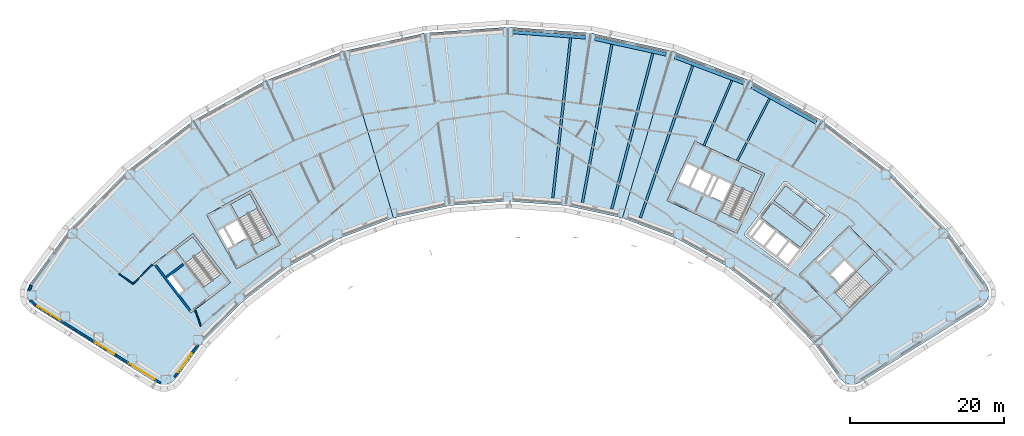
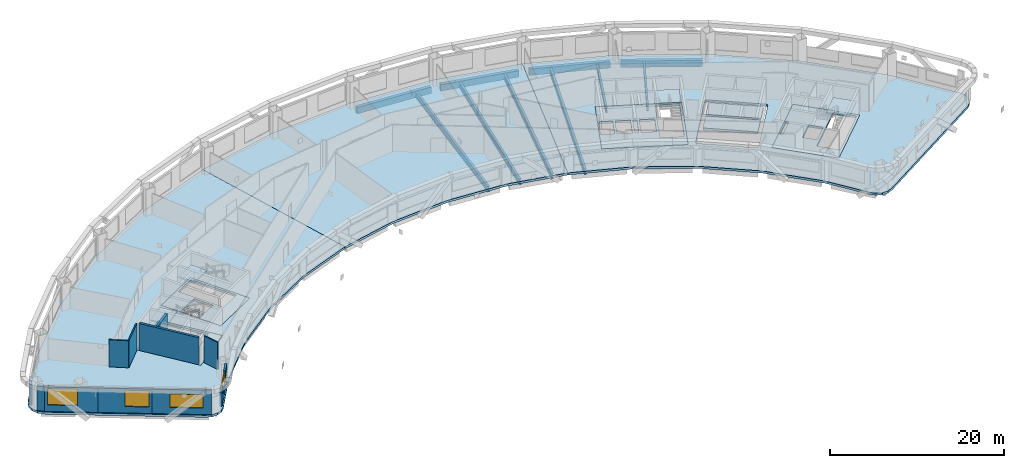
# One storey, part 2 of 19: 13 slabs, 11 walls, 10 beams, 4 windows, 4 openings, 4 elements without a shape of their own.
"""IFC4 building model written with IfcOpenShell, lengths in metres."""

from ifc_helpers import new_model, si_unit, direction, frame, frame_2d, origin, origin_2d, place, context, subcontext, project, spatial, polyline, rectangle, hollow_rectangle, i_section, outline, extrude, material, layer, layer_set, material_profile, profile_set, type_object, element, fill, aggregate, save


model = new_model("IFC4")

# Units and contexts
model_context = context("Model", 3, precision=1e-05, world=origin(), true_north=direction((0.0, 1.0)))
body_context = subcontext(model_context, "Body", "Model", "MODEL_VIEW")
ifc_project = project(units=[si_unit("LENGTHUNIT", "METRE"), si_unit("AREAUNIT", "SQUARE_METRE"), si_unit("VOLUMEUNIT", "CUBIC_METRE"), si_unit("PLANEANGLEUNIT", "RADIAN"), si_unit("MASSUNIT", "GRAM", prefix="KILO")], contexts=[model_context])

# Site, building, storey
site_placement = place(None, origin())
site = spatial("IfcSite", under=ifc_project, at=site_placement, CompositionType="ELEMENT")
building_placement = place(site_placement, origin())
building = spatial("IfcBuilding", under=site, at=building_placement, Name="Tuul Gate Civic Tower", CompositionType="ELEMENT")
storey_placement = place(building_placement, frame((0.0, 0.0, 90.60009765625)))
storey = spatial("IfcBuildingStorey", under=building, at=storey_placement, Name="Level 20", CompositionType="ELEMENT", Elevation=90.60009765625)

# Beams
ifc_material_1 = material(Name="Steel S355", Category="steel")
ifc_material_profile_1 = material_profile(ifc_material_1, i_section(OverallWidth=0.25, OverallDepth=0.64990234375, WebThickness=0.011962890625, FlangeThickness=0.02001953125, at=origin_2d()), Name="PG650x250x12x20")
ifc_profile_set_1 = profile_set([ifc_material_profile_1], Name="Steel S355")
beam_type_1 = type_object("IfcBeamType", Name="STR-FLOOR BEAM-PG650x250x12x20", PredefinedType="BEAM", material=ifc_profile_set_1)
beam_1_placement = place(storey_placement, frame((34.490478515625, 1.98095703125, -0.625), z_axis=(0.460790383982, 0.887508998281, 0.0), x_axis=(-0.887508998281, 0.460790383982, 0.0)))
element("IfcBeam", 1, at=beam_1_placement, inside=storey, type_object=beam_type_1, Name="Floor beam", PredefinedType="BEAM", context=body_context, shape_type="SweptSolid", body=[
    extrude(i_section(OverallWidth=0.25, OverallDepth=0.64990234375, WebThickness=0.011962890625, FlangeThickness=0.02001953125, at=origin_2d()), origin(), (0.0, 0.0, 1.0), 9.064453125),
])
beam_2_placement = place(storey_placement, frame((30.191162109375, 3.98583984375, -0.625), z_axis=(0.394199935174, 0.919024706474, 0.0), x_axis=(-0.919024706474, 0.394199935174, 0.0)))
element("IfcBeam", 2, at=beam_2_placement, inside=storey, type_object=beam_type_1, Name="Floor beam", PredefinedType="BEAM", context=body_context, shape_type="SweptSolid", body=[
    extrude(i_section(OverallWidth=0.25, OverallDepth=0.64990234375, WebThickness=0.011962890625, FlangeThickness=0.02001953125, at=origin_2d()), origin(), (0.0, 0.0, 1.0), 9.1337890625),
])
ifc_material_2 = material(Name="Steel S355", Category="steel")
ifc_material_profile_2 = material_profile(ifc_material_2, i_section(OverallWidth=0.300048828125, OverallDepth=0.800048828125, WebThickness=0.013916015625, FlangeThickness=0.02490234375, at=origin_2d()), Name="PG800x300x14x25")
ifc_profile_set_2 = profile_set([ifc_material_profile_2], Name="Steel S355")
beam_type_2 = type_object("IfcBeamType", Name="STR-FLOOR BEAM-PG800x300x14x25", PredefinedType="BEAM", material=ifc_profile_set_2)
beam_3_placement = place(storey_placement, frame((21.954345703125, -5.380859375, -0.7001953125), z_axis=(0.325483706592, 0.945547649113, 0.0), x_axis=(-0.945547649113, 0.325483706592, 0.0)))
element("IfcBeam", 3, at=beam_3_placement, inside=storey, type_object=beam_type_2, Name="Floor beam", PredefinedType="BEAM", context=body_context, shape_type="SweptSolid", body=[
    extrude(i_section(OverallWidth=0.300048828125, OverallDepth=0.800048828125, WebThickness=0.013916015625, FlangeThickness=0.02490234375, at=origin_2d()), origin(), (0.0, 0.0, 1.0), 20.808837890625),
])
beam_4_placement = place(storey_placement, frame((18.246826171875, -4.234130859375, -0.7001953125), z_axis=(0.255002430405, 0.966940412067, 0.0), x_axis=(-0.966940412067, 0.255002430405, 0.0)))
element("IfcBeam", 4, at=beam_4_placement, inside=storey, type_object=beam_type_2, Name="Floor beam", PredefinedType="BEAM", context=body_context, shape_type="SweptSolid", body=[
    extrude(i_section(OverallWidth=0.300048828125, OverallDepth=0.800048828125, WebThickness=0.013916015625, FlangeThickness=0.02490234375, at=origin_2d()), origin(), (0.0, 0.0, 1.0), 20.81689453125),
])
beam_5_placement = place(storey_placement, frame((14.45654296875, -3.3994140625, -0.7001953125), z_axis=(0.1831360046, 0.983087587054, 0.0), x_axis=(-0.983087587054, 0.1831360046, 0.0)))
element("IfcBeam", 5, at=beam_5_placement, inside=storey, type_object=beam_type_2, Name="Floor beam", PredefinedType="BEAM", context=body_context, shape_type="SweptSolid", body=[
    extrude(i_section(OverallWidth=0.300048828125, OverallDepth=0.800048828125, WebThickness=0.013916015625, FlangeThickness=0.02490234375, at=origin_2d()), origin(), (0.0, 0.0, 1.0), 20.811279296875),
])
beam_6_placement = place(storey_placement, frame((10.619384765625, -2.819580078125, -0.7001953125), z_axis=(0.1102757583, 0.993901029847, 0.0), x_axis=(-0.993901029847, 0.1102757583, 0.0)))
element("IfcBeam", 6, at=beam_6_placement, inside=storey, type_object=beam_type_2, Name="Floor beam", PredefinedType="BEAM", context=body_context, shape_type="SweptSolid", body=[
    extrude(i_section(OverallWidth=0.300048828125, OverallDepth=0.800048828125, WebThickness=0.013916015625, FlangeThickness=0.02490234375, at=origin_2d()), origin(), (0.0, 0.0, 1.0), 20.815185546875),
])
ifc_material_3 = material(Name="Steel S355", Category="steel")
ifc_material_profile_3 = material_profile(ifc_material_3, hollow_rectangle(XDim=0.449951171875, YDim=0.89990234375, WallThickness=0.02490234375, at=origin_2d()), Name="BOX900x450x25")
ifc_profile_set_3 = profile_set([ifc_material_profile_3], Name="Steel S355")
beam_type_3 = type_object("IfcBeamType", Name="STR-SPANDREL BEAM-BOX900x450x25", PredefinedType="BEAM", material=ifc_profile_set_3)
beam_7_placement = place(storey_placement, frame((44.686279296875, 6.974853515625, -0.75), z_axis=(-0.874608888761, 0.484829136604, 0.0), x_axis=(-0.484829136604, -0.874608888761, 0.0)))
element("IfcBeam", 7, at=beam_7_placement, inside=storey, type_object=beam_type_3, Name="Spandrel beam", PredefinedType="BEAM", context=body_context, shape_type="SweptSolid", body=[
    extrude(hollow_rectangle(XDim=0.449951171875, YDim=0.89990234375, WallThickness=0.02490234375, at=origin_2d()), origin(), (0.0, 0.0, 1.0), 9.47802734375),
])
beam_8_placement = place(storey_placement, frame((35.310791015625, 12.0732421875, -0.75), z_axis=(-0.935376104649, 0.353654552993, 0.0), x_axis=(-0.353654552993, -0.935376104649, 0.0)))
element("IfcBeam", 8, at=beam_8_placement, inside=storey, type_object=beam_type_3, Name="Spandrel beam", PredefinedType="BEAM", context=body_context, shape_type="SweptSolid", body=[
    extrude(hollow_rectangle(XDim=0.449951171875, YDim=0.89990234375, WallThickness=0.02490234375, at=origin_2d()), origin(), (0.0, 0.0, 1.0), 9.47705078125),
])
beam_9_placement = place(storey_placement, frame((25.299072265625, 15.76611328125, -0.75), z_axis=(-0.97656320303, 0.215230830708, 0.0), x_axis=(-0.215230830708, -0.97656320303, 0.0)))
element("IfcBeam", 9, at=beam_9_placement, inside=storey, type_object=beam_type_3, Name="Spandrel beam", PredefinedType="BEAM", context=body_context, shape_type="SweptSolid", body=[
    extrude(hollow_rectangle(XDim=0.449951171875, YDim=0.89990234375, WallThickness=0.02490234375, at=origin_2d()), origin(), (0.0, 0.0, 1.0), 9.477294921875),
])
beam_10_placement = place(storey_placement, frame((14.859619140625, 17.978271484375, -0.75), z_axis=(-0.997382561925, 0.07230508397, 0.0), x_axis=(-0.07230508397, -0.997382561925, 0.0)))
element("IfcBeam", 10, at=beam_10_placement, inside=storey, type_object=beam_type_3, Name="Spandrel beam", PredefinedType="BEAM", context=body_context, shape_type="SweptSolid", body=[
    extrude(hollow_rectangle(XDim=0.449951171875, YDim=0.89990234375, WallThickness=0.02490234375, at=origin_2d()), origin(), (0.0, 0.0, 1.0), 9.47802734375),
])

# Slabs
ifc_material_4 = material(Name="Concrete C40/50", Category="concrete")
ifc_layer_1 = layer(ifc_material_4, 0.300048828125)
ifc_layer_set_1 = layer_set([ifc_layer_1], Name="Concrete C40/50")
slab_type_1 = type_object("IfcSlabType", Name="Core floor slab 300", PredefinedType="FLOOR", material=ifc_layer_set_1)
slab_1_placement = place(storey_placement, frame((0.0, 0.0, -0.300048828125)))
element("IfcSlab", 11, at=slab_1_placement, inside=storey, type_object=slab_type_1, Name="FLOOR SLAB", PredefinedType="FLOOR", context=body_context, shape_type="SweptSolid", body=[
    extrude(outline(polyline([(-31.10009765625, -13.7890625), (-35.946044921875, -7.423828125), (-41.11767578125, -11.361572265625), (-36.271484375, -17.726806640625), (-31.10009765625, -13.7890625)]), holes=[polyline([(-37.19287109375, -14.783203125), (-38.737548828125, -12.75439453125), (-39.45361328125, -13.299560546875), (-37.908935546875, -15.328369140625), (-37.19287109375, -14.783203125)]), polyline([(-32.33935546875, -12.65771484375), (-34.56591796875, -14.352783203125), (-38.229736328125, -9.54052734375), (-36.003173828125, -7.845458984375), (-32.33935546875, -12.65771484375)])]), origin(), (0.0, 0.0, 1.0), 0.300048828125),
])
slab_2_placement = place(storey_placement, frame((0.0, 0.0, -0.300048828125)))
element("IfcSlab", 12, at=slab_2_placement, inside=storey, type_object=slab_type_1, Name="FLOOR SLAB", PredefinedType="FLOOR", context=body_context, shape_type="SweptSolid", body=[
    extrude(outline(polyline([(-24.638916015625, -8.846923828125), (-28.51708984375, -1.849853515625), (-34.2021484375, -5.0009765625), (-30.32421875, -11.998046875), (-24.638916015625, -8.846923828125)]), holes=[polyline([(-29.0185546875, -7.958740234375), (-30.254638671875, -5.728515625), (-31.785400390625, -6.576904296875), (-30.54931640625, -8.80712890625), (-29.0185546875, -7.958740234375)]), polyline([(-30.8115234375, -8.95263671875), (-32.047607421875, -6.72216796875), (-32.8349609375, -7.158447265625), (-31.5986328125, -9.388916015625), (-30.8115234375, -8.95263671875)]), polyline([(-25.702392578125, -7.548828125), (-28.14990234375, -8.905517578125), (-31.08203125, -3.615234375), (-28.63427734375, -2.2587890625), (-25.702392578125, -7.548828125)])]), origin(), (0.0, 0.0, 1.0), 0.300048828125),
])
slab_3_placement = place(storey_placement, frame((0.0, 0.0, -0.300048828125)))
element("IfcSlab", 13, at=slab_3_placement, inside=storey, type_object=slab_type_1, Name="FLOOR SLAB", PredefinedType="FLOOR", context=body_context, shape_type="SweptSolid", body=[
    extrude(outline(polyline([(48.117919921875, -18.43310546875), (54.545166015625, -12.1328125), (48.945068359375, -6.419921875), (42.517822265625, -12.719970703125), (48.117919921875, -18.43310546875)]), holes=[polyline([(47.808837890625, -13.974853515625), (49.6298828125, -12.18994140625), (48.40478515625, -10.940185546875), (46.583984375, -12.72509765625), (47.808837890625, -13.974853515625)]), polyline([(44.93896484375, -11.046875), (46.760009765625, -9.261962890625), (46.514892578125, -9.011962890625), (44.69384765625, -10.797119140625), (44.93896484375, -11.046875)]), polyline([(49.086181640625, -17.062744140625), (47.12744140625, -15.064208984375), (52.160888671875, -10.130126953125), (54.11962890625, -12.128662109375), (49.086181640625, -17.062744140625)])]), origin(), (0.0, 0.0, 1.0), 0.300048828125),
])
slab_4_placement = place(storey_placement, frame((0.0, 0.0, -0.300048828125)))
element("IfcSlab", 14, at=slab_4_placement, inside=storey, type_object=slab_type_1, Name="FLOOR SLAB", PredefinedType="FLOOR", context=body_context, shape_type="SweptSolid", body=[
    extrude(outline(polyline([(34.465087890625, -7.385986328125), (38.056884765625, 0.31787109375), (28.993896484375, 4.543701171875), (25.40185546875, -3.159912109375), (34.465087890625, -7.385986328125)]), holes=[polyline([(32.60888671875, -3.32080078125), (33.6865234375, -1.009765625), (32.1005859375, -0.27001953125), (31.02294921875, -2.581298828125), (32.60888671875, -3.32080078125)]), polyline([(30.0712890625, -2.137451171875), (31.14892578125, 0.173583984375), (29.562744140625, 0.9130859375), (28.4853515625, -1.39794921875), (30.0712890625, -2.137451171875)]), polyline([(30.751220703125, -2.454345703125), (31.82861328125, -0.143310546875), (31.4208984375, 0.046875), (30.34326171875, -2.264404296875), (30.751220703125, -2.454345703125)]), polyline([(28.21337890625, -1.27099609375), (29.291015625, 1.0400390625), (27.8408203125, 1.71630859375), (26.76318359375, -0.594970703125), (28.21337890625, -1.27099609375)]), polyline([(34.889892578125, -5.7626953125), (32.353759765625, -4.580078125), (35.120849609375, 1.354736328125), (37.6572265625, 0.17236328125), (34.889892578125, -5.7626953125)])]), origin(), (0.0, 0.0, 1.0), 0.300048828125),
])
ifc_material_5 = material(Name="Concrete C40/50", Category="concrete")
ifc_layer_2 = layer(ifc_material_5, 0.300048828125)
ifc_layer_set_2 = layer_set([ifc_layer_2], Name="Concrete C40/50")
slab_type_2 = type_object("IfcSlabType", Name="Core floor slab 300 non-bearing", PredefinedType="FLOOR", material=ifc_layer_set_2)
slab_5_placement = place(storey_placement, frame((0.0, 0.0, -0.300048828125)))
element("IfcSlab", 15, at=slab_5_placement, inside=storey, type_object=slab_type_2, Name="FLOOR SLAB", PredefinedType="FLOOR", context=body_context, shape_type="SweptSolid", body=[
    extrude(outline(polyline([(37.587890625, -5.350830078125), (39.072021484375, -3.401611328125), (44.163818359375, -7.279052734375), (42.6796875, -9.228271484375), (37.587890625, -5.350830078125)])), origin(), (0.0, 0.0, 1.0), 0.300048828125),
])
slab_6_placement = place(storey_placement, frame((0.0, 0.0, -0.300048828125)))
element("IfcSlab", 16, at=slab_6_placement, inside=storey, type_object=slab_type_2, Name="FLOOR SLAB", PredefinedType="FLOOR", context=body_context, shape_type="SweptSolid", body=[
    extrude(outline(polyline([(44.345458984375, -7.040283203125), (39.25390625, -3.162841796875), (40.73779296875, -1.213623046875), (45.82958984375, -5.091064453125), (44.345458984375, -7.040283203125)])), origin(), (0.0, 0.0, 1.0), 0.300048828125),
])

# Stair, slab
ifc_material_6 = material(Name="Concrete C40/50", Category="concrete")
stair_type = type_object("IfcStairType", Name="Exit stair", PredefinedType="HALF_TURN_STAIR", material=ifc_material_6)
stair_1_placement = place(storey_placement, origin())
stair_1 = element("IfcStair", 17, at=stair_1_placement, inside=storey, type_object=stair_type, Name="Level 20 ST-1", PredefinedType="HALF_TURN_STAIR")
ifc_material_7 = material(Name="Concrete C40/50", Category="concrete")
ifc_layer_3 = layer(ifc_material_7, 0.199951171875)
ifc_layer_set_3 = layer_set([ifc_layer_3], Name="Concrete C40/50")
slab_type_3 = type_object("IfcSlabType", Name="Exit stair landing", PredefinedType="LANDING", material=ifc_layer_set_3)
slab_7_placement = place(storey_placement, frame((0.0, 0.0, 1.89990234375)))
slab_7 = element("IfcSlab", 18, at=slab_7_placement, type_object=slab_type_3, Name="ST-1 landing 1", PredefinedType="LANDING", context=body_context, shape_type="SweptSolid", body=[
    extrude(outline(polyline([(-34.699462890625, -9.554931640625), (-36.9287109375, -11.252197265625), (-38.23193359375, -9.540283203125), (-36.0029296875, -7.843017578125), (-34.699462890625, -9.554931640625)])), origin(), (0.0, 0.0, 1.0), 0.199951171875),
])
aggregate(stair_1, [slab_7])

stair_2_placement = place(storey_placement, origin())
stair_2 = element("IfcStair", 19, at=stair_2_placement, inside=storey, type_object=stair_type, Name="Level 20 ST-2", PredefinedType="HALF_TURN_STAIR")
slab_8_placement = place(storey_placement, frame((0.0, 0.0, 1.89990234375)))
slab_8 = element("IfcSlab", 20, at=slab_8_placement, type_object=slab_type_3, Name="ST-2 landing 1", PredefinedType="LANDING", context=body_context, shape_type="SweptSolid", body=[
    extrude(outline(polyline([(-27.5908203125, -4.138427734375), (-30.041015625, -5.49658203125), (-31.084228515625, -3.61474609375), (-28.6337890625, -2.256591796875), (-27.5908203125, -4.138427734375)])), origin(), (0.0, 0.0, 1.0), 0.199951171875),
])
aggregate(stair_2, [slab_8])

stair_3_placement = place(storey_placement, origin())
stair_3 = element("IfcStair", 21, at=stair_3_placement, inside=storey, type_object=stair_type, Name="Level 20 ST-3", PredefinedType="HALF_TURN_STAIR")
slab_9_placement = place(storey_placement, frame((0.0, 0.0, 1.89990234375)))
slab_9 = element("IfcSlab", 22, at=slab_9_placement, type_object=slab_type_3, Name="ST-3 landing 1", PredefinedType="LANDING", context=body_context, shape_type="SweptSolid", body=[
    extrude(outline(polyline([(51.871337890625, -14.3349609375), (49.91015625, -12.334228515625), (52.160888671875, -10.1279296875), (54.1220703125, -12.128662109375), (51.871337890625, -14.3349609375)])), origin(), (0.0, 0.0, 1.0), 0.199951171875),
])
aggregate(stair_3, [slab_9])

stair_4_placement = place(storey_placement, origin())
stair_4 = element("IfcStair", 23, at=stair_4_placement, inside=storey, type_object=stair_type, Name="Level 20 ST-4", PredefinedType="HALF_TURN_STAIR")
slab_10_placement = place(storey_placement, frame((0.0, 0.0, 1.89990234375)))
slab_10 = element("IfcSlab", 24, at=slab_10_placement, type_object=slab_type_3, Name="ST-4 landing 1", PredefinedType="LANDING", context=body_context, shape_type="SweptSolid", body=[
    extrude(outline(polyline([(36.538818359375, -2.230224609375), (33.999755859375, -1.046142578125), (35.1201171875, 1.35693359375), (37.659423828125, 0.173095703125), (36.538818359375, -2.230224609375)])), origin(), (0.0, 0.0, 1.0), 0.199951171875),
])
aggregate(stair_4, [slab_10])

# Slabs
ifc_material_8 = material(Name="Concrete C35/45", Category="concrete")
ifc_layer_4 = layer(ifc_material_8, 0.300048828125)
ifc_layer_set_4 = layer_set([ifc_layer_4], Name="Concrete C35/45")
slab_type_4 = type_object("IfcSlabType", Name="STR-FLOOR-SLAB-300", PredefinedType="FLOOR", material=ifc_layer_set_4)
slab_11_placement = place(storey_placement, frame((0.0, 0.0, -0.300048828125)))
element("IfcSlab", 25, at=slab_11_placement, inside=storey, type_object=slab_type_4, Name="Level 20/slab/W", PredefinedType="FLOOR", context=body_context, shape_type="SweptSolid", body=[
    extrude(outline(polyline([(-10.006103515625, -5.407958984375), (-16.43994140625, 16.214111328125), (-26.508056640625, 12.406982421875), (-35.923095703125, 7.18798828125), (-44.487060546875, 0.6669921875), (-52.02294921875, -7.02001953125), (-57.10302734375, -13.97607421875), (-57.43994140625, -14.718994140625), (-57.451904296875, -15.534912109375), (-57.136962890625, -16.2880859375), (-56.548095703125, -16.85205078125), (-40.818115234375, -26.680908203125), (-40.1240234375, -26.950927734375), (-39.37890625, -26.948974609375), (-38.68701171875, -26.674072265625), (-38.14306640625, -26.1650390625), (-34.81396484375, -21.60693359375), (-29.56005859375, -16.2470703125), (-23.589111328125, -11.700927734375), (-17.02490234375, -8.06298828125), (-10.006103515625, -5.407958984375)]), holes=[polyline([(-31.10009765625, -13.7890625), (-36.27197265625, -17.72705078125), (-41.117919921875, -11.362060546875), (-35.946044921875, -7.424072265625), (-31.10009765625, -13.7890625)]), polyline([(-24.638916015625, -8.846923828125), (-30.323974609375, -11.998046875), (-34.201904296875, -5.0009765625), (-28.51708984375, -1.85009765625), (-24.638916015625, -8.846923828125)])]), origin(), (0.0, 0.0, 1.0), 0.300048828125),
])
slab_12_placement = place(storey_placement, frame((0.0, 0.0, -0.300048828125)))
element("IfcSlab", 26, at=slab_12_placement, inside=storey, type_object=slab_type_4, Name="Level 20/slab/M", PredefinedType="FLOOR", context=body_context, shape_type="SweptSolid", body=[
    extrude(outline(polyline([(19.6220703125, -5.407958984375), (26.055908203125, 16.214111328125), (15.5439453125, 18.531005859375), (4.80810546875, 19.30810546875), (-5.927978515625, 18.531005859375), (-16.43994140625, 16.214111328125), (-10.006103515625, -5.407958984375), (-2.677001953125, -3.79296875), (4.80810546875, -3.2509765625), (12.29296875, -3.79296875), (19.6220703125, -5.407958984375)])), origin(), (0.0, 0.0, 1.0), 0.300048828125),
])
slab_13_placement = place(storey_placement, frame((0.0, 0.0, -0.300048828125)))
element("IfcSlab", 27, at=slab_13_placement, inside=storey, type_object=slab_type_4, Name="Level 20/slab/E", PredefinedType="FLOOR", context=body_context, shape_type="SweptSolid", body=[
    extrude(outline(polyline([(49.739990234375, -26.950927734375), (50.43408203125, -26.680908203125), (66.1640625, -16.85205078125), (66.75390625, -16.2880859375), (67.068115234375, -15.534912109375), (67.055908203125, -14.718994140625), (66.719970703125, -13.97607421875), (61.638916015625, -7.02001953125), (54.10400390625, 0.6669921875), (45.5400390625, 7.18798828125), (36.125, 12.406982421875), (26.055908203125, 16.214111328125), (19.6220703125, -5.407958984375), (26.64208984375, -8.06298828125), (33.2060546875, -11.700927734375), (39.177001953125, -16.2470703125), (44.429931640625, -21.60693359375), (47.760009765625, -26.1650390625), (48.302978515625, -26.674072265625), (48.9951171875, -26.948974609375), (49.739990234375, -26.950927734375)]), holes=[polyline([(48.117919921875, -18.43310546875), (42.51806640625, -12.719970703125), (48.945068359375, -6.419921875), (54.544921875, -12.133056640625), (48.117919921875, -18.43310546875)]), polyline([(35.44091796875, -7.675048828125), (35.4130859375, -7.465087890625), (40.56201171875, -0.701904296875), (40.77197265625, -0.674072265625), (46.341064453125, -4.9150390625), (46.368896484375, -5.125), (41.219970703125, -11.887939453125), (41.010009765625, -11.916015625), (35.44091796875, -7.675048828125)]), polyline([(25.402099609375, -3.159912109375), (28.993896484375, 4.5439453125), (38.056884765625, 0.318115234375), (34.465087890625, -7.385986328125), (25.402099609375, -3.159912109375)])]), origin(), (0.0, 0.0, 1.0), 0.300048828125),
])

# Walls
ifc_material_9 = material(Name="Concrete C50/60", Category="concrete")
ifc_layer_5 = layer(ifc_material_9, 0.300048828125)
ifc_layer_set_5 = layer_set([ifc_layer_5], Name="Concrete C50/60")
wall_type_1 = type_object("IfcWallType", Name="Core wall C50/60", PredefinedType="SHEAR", material=ifc_layer_set_5)
wall_1_placement = place(storey_placement, frame((-37.197509765625, -11.39306640625, 0.0), z_axis=(0.0, 0.0, 1.0), x_axis=(-0.795583820278, -0.605843531707, 0.0)))
element("IfcWall", 28, at=wall_1_placement, inside=storey, type_object=wall_type_1, Name="Core wall", PredefinedType="SHEAR", context=body_context, shape_type="SweptSolid", body=[
    extrude(rectangle(XDim=2.7998046875, YDim=0.300048828125, at=frame_2d((1.39990234375, 0.0))), origin(), (0.0, 0.0, 1.0), 3.7998046875),
])
wall_2_placement = place(storey_placement, frame((-36.333984375, -17.397216796875, 0.0), z_axis=(0.0, 0.0, 1.0), x_axis=(-0.605753921168, 0.795652051458, 0.0)))
element("IfcWall", 29, at=wall_2_placement, inside=storey, type_object=wall_type_1, Name="Core wall", PredefinedType="SHEAR", context=body_context, shape_type="SweptSolid", body=[
    extrude(rectangle(XDim=7.400146484375, YDim=0.300048828125, at=frame_2d((3.7001953125, 0.0))), origin(), (0.0, 0.0, 1.0), 3.7998046875),
])
ifc_material_10 = material(Name="Gypsum board partition")
ifc_layer_6 = layer(ifc_material_10, 0.14990234375)
ifc_layer_set_6 = layer_set([ifc_layer_6], Name="Gypsum board partition")
wall_type_2 = type_object("IfcWallType", Name="Corridor wall P150", PredefinedType="PARTITIONING", material=ifc_layer_set_6)
wall_3_placement = place(storey_placement, frame((-45.54443359375, -12.64697265625, 0.0), z_axis=(0.0, 0.0, 1.0), x_axis=(0.819180943758, -0.573535161418, 0.0)))
element("IfcWall", 30, at=wall_3_placement, inside=storey, type_object=wall_type_2, Name="p045", PredefinedType="PARTITIONING", context=body_context, shape_type="SweptSolid", body=[
    extrude(rectangle(XDim=2.250244140625, YDim=0.14990234375, at=frame_2d((1.125, 0.0))), origin(), (0.0, 0.0, 1.0), 3.7998046875),
])
wall_4_placement = place(storey_placement, frame((-43.701171875, -13.9375, 0.0), z_axis=(0.0, 0.0, 1.0), x_axis=(0.701295332975, 0.712870855027, 0.0)))
element("IfcWall", 31, at=wall_4_placement, inside=storey, type_object=wall_type_2, Name="p046", PredefinedType="PARTITIONING", context=body_context, shape_type="SweptSolid", body=[
    extrude(rectangle(XDim=3.501220703125, YDim=0.14990234375, at=frame_2d((1.75048828125, 0.0))), origin(), (0.0, 0.0, 1.0), 3.7998046875),
])
wall_5_placement = place(storey_placement, frame((-35.6328125, -17.428955078125, 0.0), z_axis=(0.0, 0.0, 1.0), x_axis=(0.324279119185, -0.945961443644, 0.0)))
element("IfcWall", 32, at=wall_5_placement, inside=storey, type_object=wall_type_2, Name="p047", PredefinedType="PARTITIONING", context=body_context, shape_type="SweptSolid", body=[
    extrude(rectangle(XDim=2.071044921875, YDim=0.14990234375, at=frame_2d((1.03564453125, 0.0))), origin(), (0.0, 0.0, 1.0), 3.7998046875),
])
ifc_material_11 = material(Name="Precast concrete C40/50", Category="concrete")
ifc_layer_7 = layer(ifc_material_11, 0.25)
ifc_layer_set_7 = layer_set([ifc_layer_7], Name="Precast concrete C40/50")
wall_type_3 = type_object("IfcWallType", Name="External wall", PredefinedType="STANDARD", material=ifc_layer_set_7)
wall_6_placement = place(storey_placement, frame((-57.022216796875, -16.02099609375, 0.0), z_axis=(0.0, 0.0, 1.0), x_axis=(0.722079843393, -0.691809728007, 0.0)))
element("IfcWall", 33, at=wall_6_placement, inside=storey, type_object=wall_type_3, Name="External wall", PredefinedType="STANDARD", context=body_context, shape_type="SweptSolid", body=[
    extrude(rectangle(XDim=0.88720703125, YDim=0.25, at=frame_2d((0.443603515625, 0.0))), origin(), (0.0, 0.0, 1.0), 3.449951171875),
])

# Wall, opening, window
wall_7_placement = place(storey_placement, frame((-56.40185546875, -16.618896484375, 0.0), z_axis=(0.0, 0.0, 1.0), x_axis=(0.848053758074, -0.529910203164, 0.0)))
wall_7 = element("IfcWall", 34, at=wall_7_placement, inside=storey, type_object=wall_type_3, Name="External wall", PredefinedType="STANDARD", context=body_context, shape_type="SweptSolid", body=[
    extrude(rectangle(XDim=6.182861328125, YDim=0.25, at=frame_2d((3.09130859375, 0.0))), origin(), (0.0, 0.0, 1.0), 3.449951171875),
])
opening_1_placement = place(wall_7_placement, frame((0.319091796875, 0.0, 0.89990234375)))
opening_1 = element("IfcOpeningElement", 35, at=opening_1_placement, cuts=wall_7, Name="Opening W74", PredefinedType="OPENING", context=body_context, shape_type="SweptSolid", body=[
    extrude(rectangle(XDim=3.5, YDim=2.300048828125, at=frame_2d((1.75, 1.14990234375))), frame((0.0, 0.135009765625, 0.0), z_axis=(0.0, -1.0, 0.0), x_axis=(1.0, 0.0, 0.0)), (0.0, 0.0, 1.0), 0.27001953125),
])
ifc_material_12 = material(Name="Glass", Category="glass")
window_type_1 = type_object("IfcWindowType", Name="Window 3500 x 2300", PartitioningType="SINGLE_PANEL", PredefinedType="WINDOW", material=ifc_material_12)
window_1_placement = place(opening_1_placement, origin())
window_1 = element("IfcWindow", 36, at=window_1_placement, inside=storey, type_object=window_type_1, Name="Window", OverallHeight=2.300048828125, OverallWidth=3.5, PartitioningType="SINGLE_PANEL", PredefinedType="WINDOW", context=body_context, shape_type="SweptSolid", body=[
    extrude(rectangle(XDim=3.5, YDim=2.300048828125, at=frame_2d((1.75, 1.14990234375))), frame((0.0, 0.030029296875, 0.0), z_axis=(0.0, -1.0, 0.0), x_axis=(1.0, 0.0, 0.0)), (0.0, 0.0, 1.0), 0.06005859375),
])
fill(opening_1, window_1)

wall_8_placement = place(storey_placement, frame((-51.158447265625, -19.895263671875, 0.0), z_axis=(0.0, 0.0, 1.0), x_axis=(0.848053758074, -0.529910203164, 0.0)))
wall_8 = element("IfcWall", 37, at=wall_8_placement, inside=storey, type_object=wall_type_3, Name="External wall", PredefinedType="STANDARD", context=body_context, shape_type="SweptSolid", body=[
    extrude(rectangle(XDim=6.182861328125, YDim=0.25, at=frame_2d((3.09130859375, 0.0))), origin(), (0.0, 0.0, 1.0), 3.449951171875),
])
opening_2_placement = place(wall_8_placement, frame((3.10302734375, 0.0, 0.89990234375)))
opening_2 = element("IfcOpeningElement", 38, at=opening_2_placement, cuts=wall_8, Name="Opening W30", PredefinedType="OPENING", context=body_context, shape_type="SweptSolid", body=[
    extrude(rectangle(XDim=2.75, YDim=2.300048828125, at=frame_2d((1.375, 1.14990234375))), frame((0.0, 0.135009765625, 0.0), z_axis=(0.0, -1.0, 0.0), x_axis=(1.0, 0.0, 0.0)), (0.0, 0.0, 1.0), 0.27001953125),
])
ifc_material_13 = material(Name="Glass", Category="glass")
window_type_2 = type_object("IfcWindowType", Name="Window 2750 x 2300", PartitioningType="SINGLE_PANEL", PredefinedType="WINDOW", material=ifc_material_13)
window_2_placement = place(opening_2_placement, origin())
window_2 = element("IfcWindow", 39, at=window_2_placement, inside=storey, type_object=window_type_2, Name="Window", OverallHeight=2.300048828125, OverallWidth=2.75, PartitioningType="SINGLE_PANEL", PredefinedType="WINDOW", context=body_context, shape_type="SweptSolid", body=[
    extrude(rectangle(XDim=2.75, YDim=2.300048828125, at=frame_2d((1.375, 1.14990234375))), frame((0.0, 0.030029296875, 0.0), z_axis=(0.0, -1.0, 0.0), x_axis=(1.0, 0.0, 0.0)), (0.0, 0.0, 1.0), 0.06005859375),
])
fill(opening_2, window_2)

wall_9_placement = place(storey_placement, frame((-45.9150390625, -23.171630859375, 0.0), z_axis=(0.0, 0.0, 1.0), x_axis=(0.848052242305, -0.529912628951, 0.0)))
wall_9 = element("IfcWall", 40, at=wall_9_placement, inside=storey, type_object=wall_type_3, Name="External wall", PredefinedType="STANDARD", context=body_context, shape_type="SweptSolid", body=[
    extrude(rectangle(XDim=6.865234375, YDim=0.25, at=frame_2d((3.4326171875, 0.0))), origin(), (0.0, 0.0, 1.0), 3.449951171875),
])
opening_3_placement = place(wall_9_placement, frame((2.06591796875, 0.0, 0.89990234375)))
opening_3 = element("IfcOpeningElement", 41, at=opening_3_placement, cuts=wall_9, Name="Opening W142", PredefinedType="OPENING", context=body_context, shape_type="SweptSolid", body=[
    extrude(rectangle(XDim=3.800048828125, YDim=1.89990234375, at=frame_2d((1.89990234375, 0.949951171875))), frame((0.0, 0.135009765625, 0.0), z_axis=(0.0, -1.0, 0.0), x_axis=(1.0, 0.0, 0.0)), (0.0, 0.0, 1.0), 0.27001953125),
])
ifc_material_14 = material(Name="Glass", Category="glass")
window_type_3 = type_object("IfcWindowType", Name="Window W142 3800 x 1900", PartitioningType="SINGLE_PANEL", PredefinedType="WINDOW", material=ifc_material_14)
window_3_placement = place(opening_3_placement, origin())
window_3 = element("IfcWindow", 42, at=window_3_placement, inside=storey, type_object=window_type_3, Name="Window", OverallHeight=1.89990234375, OverallWidth=3.800048828125, PartitioningType="SINGLE_PANEL", PredefinedType="WINDOW", context=body_context, shape_type="SweptSolid", body=[
    extrude(rectangle(XDim=3.800048828125, YDim=1.89990234375, at=frame_2d((1.89990234375, 0.949951171875))), frame((0.0, 0.030029296875, 0.0), z_axis=(0.0, -1.0, 0.0), x_axis=(1.0, 0.0, 0.0)), (0.0, 0.0, 1.0), 0.06005859375),
])
fill(opening_3, window_3)

ifc_material_15 = material(Name="Precast concrete C40/50", Category="concrete")
ifc_layer_8 = layer(ifc_material_15, 0.25)
ifc_layer_set_8 = layer_set([ifc_layer_8], Name="Precast concrete C40/50")
wall_type_4 = type_object("IfcWallType", Name="External wall 2400 HIGH", PredefinedType="STANDARD", material=ifc_layer_set_8)
wall_10_placement = place(storey_placement, frame((-38.364990234375, -26.002197265625, 0.0), z_axis=(0.0, 0.0, 1.0), x_axis=(0.589773184558, 0.807568938715, 0.0)))
wall_10 = element("IfcWall", 43, at=wall_10_placement, inside=storey, type_object=wall_type_4, Name="External wall", PredefinedType="STANDARD", context=body_context, shape_type="SweptSolid", body=[
    extrude(rectangle(XDim=5.18115234375, YDim=0.25, at=frame_2d((2.590576171875, 0.0))), origin(), (0.0, 0.0, 1.0), 2.39990234375),
])
opening_4_placement = place(wall_10_placement, frame((0.76611328125, 0.0, 0.89990234375)))
opening_4 = element("IfcOpeningElement", 44, at=opening_4_placement, cuts=wall_10, Name="Opening W157", PredefinedType="OPENING", context=body_context, shape_type="SweptSolid", body=[
    extrude(rectangle(XDim=3.0, YDim=1.5, at=frame_2d((1.5, 0.75))), frame((0.0, 0.135009765625, 0.0), z_axis=(0.0, -1.0, 0.0), x_axis=(1.0, 0.0, 0.0)), (0.0, 0.0, 1.0), 0.27001953125),
])
ifc_material_16 = material(Name="Glass", Category="glass")
window_type_4 = type_object("IfcWindowType", Name="Window 3000 x 1500", PartitioningType="SINGLE_PANEL", PredefinedType="WINDOW", material=ifc_material_16)
window_4_placement = place(opening_4_placement, origin())
window_4 = element("IfcWindow", 45, at=window_4_placement, inside=storey, type_object=window_type_4, Name="Window", OverallHeight=1.5, OverallWidth=3.0, PartitioningType="SINGLE_PANEL", PredefinedType="WINDOW", context=body_context, shape_type="SweptSolid", body=[
    extrude(rectangle(XDim=3.0, YDim=1.5, at=frame_2d((1.5, 0.75))), frame((0.0, 0.030029296875, 0.0), z_axis=(0.0, -1.0, 0.0), x_axis=(1.0, 0.0, 0.0)), (0.0, 0.0, 1.0), 0.06005859375),
])
fill(opening_4, window_4)

# Wall
ifc_material_17 = material(Name="Precast concrete C40/50", Category="concrete")
ifc_layer_9 = layer(ifc_material_17, 0.25)
ifc_layer_set_9 = layer_set([ifc_layer_9], Name="Precast concrete C40/50")
wall_type_5 = type_object("IfcWallType", Name="External wall 2900 HIGH", PredefinedType="STANDARD", material=ifc_layer_set_9)
wall_11_placement = place(storey_placement, frame((-56.8681640625, -14.116455078125, 0.0), z_axis=(0.0, 0.0, 1.0), x_axis=(-0.412280175097, -0.911057109748, 0.0)))
element("IfcWall", 46, at=wall_11_placement, inside=storey, type_object=wall_type_5, Name="External wall", PredefinedType="STANDARD", context=body_context, shape_type="SweptSolid", body=[
    extrude(rectangle(XDim=0.7734375, YDim=0.25, at=frame_2d((0.38671875, 0.0))), origin(), (0.0, 0.0, 1.0), 2.89990234375),
])

save(model, "model.ifc")
